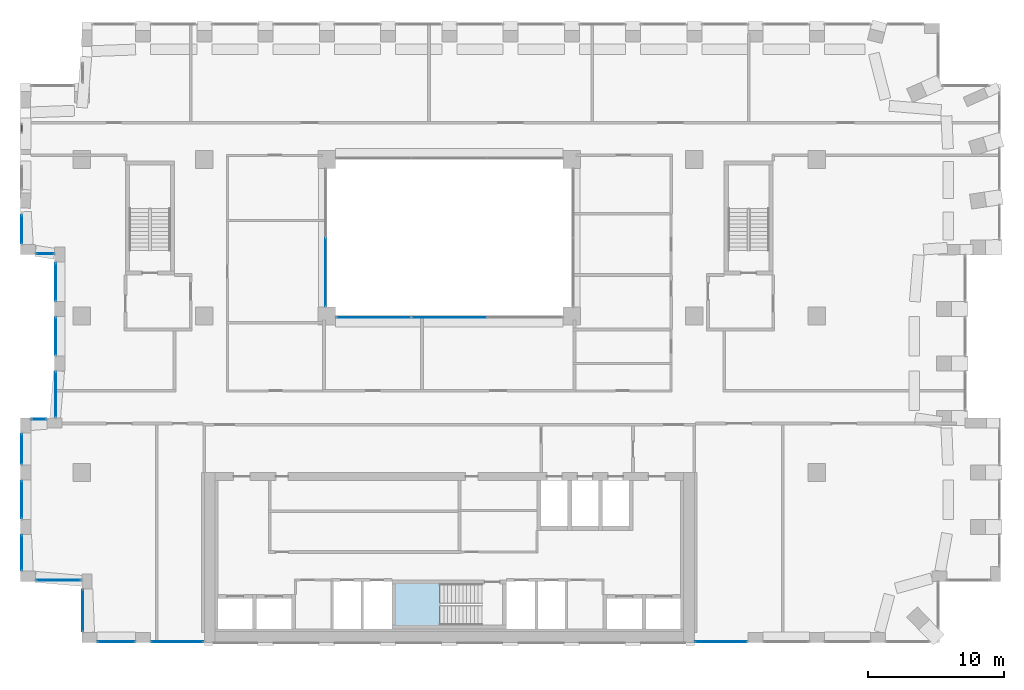
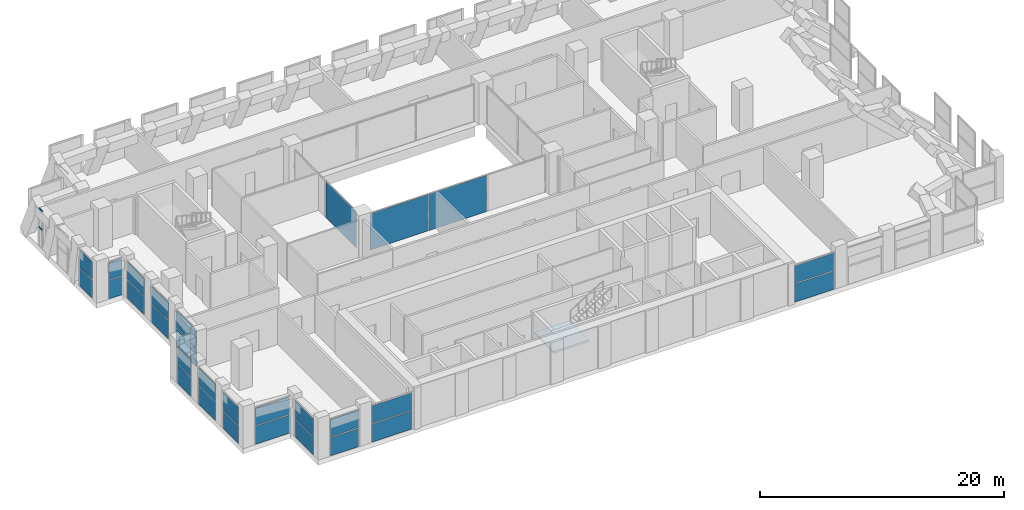
# One storey, part 12 of 20: 31 plates, 2 members, 1 slab, 18 elements without a shape of their own.
"""IFC4 building model written with IfcOpenShell, lengths in metres."""

from ifc_helpers import new_model, si_unit, direction, frame, origin, origin_2d, place, context, subcontext, project, spatial, polyline, rectangle, outline, extrude, material, layer, layer_set, material_profile, profile_set, type_object, element, aggregate, save


model = new_model("IFC4")

# Units and contexts
model_context = context("Model", 3, precision=1e-05, world=origin(), true_north=direction((0.0, 1.0)))
body_context = subcontext(model_context, "Body", "Model", "MODEL_VIEW")
ifc_project = project(units=[si_unit("LENGTHUNIT", "METRE"), si_unit("AREAUNIT", "SQUARE_METRE"), si_unit("VOLUMEUNIT", "CUBIC_METRE"), si_unit("PLANEANGLEUNIT", "RADIAN"), si_unit("MASSUNIT", "GRAM", prefix="KILO")], contexts=[model_context])

# Site, building, storey
site_placement = place(None, origin())
site = spatial("IfcSite", under=ifc_project, at=site_placement, CompositionType="ELEMENT")
building_placement = place(site_placement, origin())
building = spatial("IfcBuilding", under=site, at=building_placement, Name="Brigalow Station Residences", CompositionType="ELEMENT")
storey_placement = place(building_placement, frame((0.0, 0.0, 137.10009765625)))
storey = spatial("IfcBuildingStorey", under=building, at=storey_placement, Name="L39", CompositionType="ELEMENT", Elevation=137.10009765625)

# Curtain wall, members
ifc_material_1 = material(Name="Aluminium", Category="aluminium")
ifc_layer_1 = layer(ifc_material_1, 0.199951171875)
ifc_layer_set_1 = layer_set([ifc_layer_1], Name="REFUGE FLOOR LOUVRE CURTAIN WALL")
curtain_wall_type_1 = type_object("IfcCurtainWallType", Name="REFUGE FLOOR LOUVRE CURTAIN WALL", PredefinedType="NOTDEFINED", material=ifc_layer_set_1)
curtain_wall_1_placement = place(storey_placement, origin())
curtain_wall_1 = element("IfcCurtainWall", 1, at=curtain_wall_1_placement, inside=storey, type_object=curtain_wall_type_1, Name="L39/cw/louvre-W-L39-39-36", PredefinedType="NOTDEFINED")
ifc_material_2 = material(Name="Aluminium", Category="aluminium")
ifc_material_profile = material_profile(ifc_material_2, rectangle(XDim=0.080078125, YDim=0.14990234375, at=origin_2d()), Name="REFUGE FLOOR LOUVRE TRANSOM 80x150")
ifc_profile_set = profile_set([ifc_material_profile], Name="Aluminium")
member_type = type_object("IfcMemberType", Name="REFUGE FLOOR LOUVRE TRANSOM 80x150", PredefinedType="USERDEFINED", material=ifc_profile_set)
member_1_placement = place(storey_placement, frame((4.574951171875, 38.01318359375, 1.849853515625), z_axis=(0.0, -1.0, 0.0), x_axis=(1.0, 0.0, 0.0)))
member_1 = element("IfcMember", 2, at=member_1_placement, type_object=member_type, Name="L39/cw/louvre-W-L39-39-36/T00-00", ObjectType="TRANSOM", PredefinedType="USERDEFINED", context=body_context, shape_type="SweptSolid", body=[
    extrude(rectangle(XDim=0.080078125, YDim=0.14990234375, at=origin_2d()), origin(), (0.0, 0.0, 1.0), 0.445068359375),
])
member_2_placement = place(storey_placement, frame((4.574951171875, 38.01318359375, 3.659912109375), z_axis=(0.0, -1.0, 0.0), x_axis=(1.0, 0.0, 0.0)))
member_2 = element("IfcMember", 3, at=member_2_placement, type_object=member_type, Name="L39/cw/louvre-W-L39-39-36/T00-01", ObjectType="TRANSOM", PredefinedType="USERDEFINED", context=body_context, shape_type="SweptSolid", body=[
    extrude(rectangle(XDim=0.080078125, YDim=0.14990234375, at=origin_2d()), origin(), (0.0, 0.0, 1.0), 0.445068359375),
])
aggregate(curtain_wall_1, [member_1, member_2])

# Curtain wall, plates
ifc_material_3 = material(Name="Aluminium", Category="aluminium")
ifc_layer_2 = layer(ifc_material_3, 0.14990234375)
ifc_layer_set_2 = layer_set([ifc_layer_2], Name="ATRIUM FIRE-RATED GLAZING CURTAIN WALL")
curtain_wall_type_2 = type_object("IfcCurtainWallType", Name="ATRIUM FIRE-RATED GLAZING CURTAIN WALL", PredefinedType="NOTDEFINED", material=ifc_layer_set_2)
curtain_wall_2_placement = place(storey_placement, origin())
curtain_wall_2 = element("IfcCurtainWall", 4, at=curtain_wall_2_placement, inside=storey, type_object=curtain_wall_type_2, Name="L39/cw/atrium-S", PredefinedType="NOTDEFINED")
ifc_material_4 = material(Name="Fire-resisting laminated glazing, FRL -/60/-", Category="glass")
ifc_layer_3 = layer(ifc_material_4, 0.031982421875)
ifc_layer_set_3 = layer_set([ifc_layer_3], Name="ATRIUM FIRE-RATED GLAZING PANEL 32")
plate_type_1 = type_object("IfcPlateType", Name="ATRIUM FIRE-RATED GLAZING PANEL 32", PredefinedType="CURTAIN_PANEL", material=ifc_layer_set_3)
plate_1_placement = place(storey_placement, frame((30.4482421875, 23.89990234375, 0.0), z_axis=(0.0, 0.0, 1.0), x_axis=(1.0, 0.0, 0.0)))
plate_1 = element("IfcPlate", 5, at=plate_1_placement, type_object=plate_type_1, Name="L39/cw/atrium-S/P00-00", PredefinedType="CURTAIN_PANEL", context=body_context, shape_type="SweptSolid", body=[
    extrude(rectangle(XDim=5.476806640625, YDim=0.031982421875, at=origin_2d()), origin(), (0.0, 0.0, 1.0), 3.639892578125),
])
plate_2_placement = place(storey_placement, frame((36.0, 23.89990234375, 0.0), z_axis=(0.0, 0.0, 1.0), x_axis=(1.0, 0.0, 0.0)))
plate_2 = element("IfcPlate", 6, at=plate_2_placement, type_object=plate_type_1, Name="L39/cw/atrium-S/P01-00", PredefinedType="CURTAIN_PANEL", context=body_context, shape_type="SweptSolid", body=[
    extrude(rectangle(XDim=5.506591796875, YDim=0.031982421875, at=origin_2d()), origin(), (0.0, 0.0, 1.0), 3.639892578125),
])
aggregate(curtain_wall_2, [plate_1, plate_2])

# Curtain wall, plate
curtain_wall_3_placement = place(storey_placement, origin())
curtain_wall_3 = element("IfcCurtainWall", 7, at=curtain_wall_3_placement, inside=storey, type_object=curtain_wall_type_2, Name="L39/cw/atrium-W", PredefinedType="NOTDEFINED")
plate_3_placement = place(storey_placement, frame((26.89990234375, 27.215087890625, 0.0), z_axis=(0.0, 0.0, 1.0), x_axis=(0.0, -1.0, 0.0)))
plate_3 = element("IfcPlate", 8, at=plate_3_placement, type_object=plate_type_1, Name="L39/cw/atrium-W/P01-00", PredefinedType="CURTAIN_PANEL", context=body_context, shape_type="SweptSolid", body=[
    extrude(rectangle(XDim=5.010009765625, YDim=0.031982421875, at=origin_2d()), origin(), (0.0, 0.0, 1.0), 3.639892578125),
])
aggregate(curtain_wall_3, [plate_3])

# Curtain wall, plates
curtain_wall_4_placement = place(storey_placement, origin())
curtain_wall_4 = element("IfcCurtainWall", 9, at=curtain_wall_4_placement, inside=storey, type_object=curtain_wall_type_1, Name="L39/cw/louvre-W-L39-1-1", PredefinedType="NOTDEFINED")
ifc_material_5 = material(Name="Aluminium louvre blade", Category="aluminium")
ifc_layer_4 = layer(ifc_material_5, 0.070068359375)
ifc_layer_set_4 = layer_set([ifc_layer_4], Name="REFUGE FLOOR LOUVRE PANEL 70")
plate_type_2 = type_object("IfcPlateType", Name="REFUGE FLOOR LOUVRE PANEL 70", PredefinedType="CURTAIN_PANEL", material=ifc_layer_set_4)
plate_4_placement = place(storey_placement, frame((11.52490234375, 0.074951171875, -0.000244140625), z_axis=(0.0, 0.0, 1.0), x_axis=(1.0, 0.0, 0.0)))
plate_4 = element("IfcPlate", 10, at=plate_4_placement, type_object=plate_type_2, Name="L39/cw/louvre-W-L39-1-1/P00-00", PredefinedType="CURTAIN_PANEL", context=body_context, shape_type="SweptSolid", body=[
    extrude(rectangle(XDim=2.68994140625, YDim=0.070068359375, at=origin_2d()), origin(), (0.0, 0.0, 1.0), 1.81005859375),
])
plate_5_placement = place(storey_placement, frame((11.52490234375, 0.074951171875, 1.889892578125), z_axis=(0.0, 0.0, 1.0), x_axis=(1.0, 0.0, 0.0)))
plate_5 = element("IfcPlate", 11, at=plate_5_placement, type_object=plate_type_2, Name="L39/cw/louvre-W-L39-1-1/P00-01", PredefinedType="CURTAIN_PANEL", context=body_context, shape_type="SweptSolid", body=[
    extrude(rectangle(XDim=2.68994140625, YDim=0.070068359375, at=origin_2d()), origin(), (0.0, 0.0, 1.0), 1.72998046875),
])
aggregate(curtain_wall_4, [plate_4, plate_5])

curtain_wall_5_placement = place(storey_placement, origin())
curtain_wall_5 = element("IfcCurtainWall", 12, at=curtain_wall_5_placement, inside=storey, type_object=curtain_wall_type_1, Name="L39/cw/louvre-W-L39-1-2", PredefinedType="NOTDEFINED")
plate_6_placement = place(storey_placement, frame((16.02490234375, 0.074951171875, -0.000244140625), z_axis=(0.0, 0.0, 1.0), x_axis=(1.0, 0.0, 0.0)))
plate_6 = element("IfcPlate", 13, at=plate_6_placement, type_object=plate_type_2, Name="L39/cw/louvre-W-L39-1-2/P00-00", PredefinedType="CURTAIN_PANEL", context=body_context, shape_type="SweptSolid", body=[
    extrude(rectangle(XDim=3.7900390625, YDim=0.070068359375, at=origin_2d()), origin(), (0.0, 0.0, 1.0), 1.81005859375),
])
plate_7_placement = place(storey_placement, frame((16.02490234375, 0.074951171875, 1.889892578125), z_axis=(0.0, 0.0, 1.0), x_axis=(1.0, 0.0, 0.0)))
plate_7 = element("IfcPlate", 14, at=plate_7_placement, type_object=plate_type_2, Name="L39/cw/louvre-W-L39-1-2/P00-01", PredefinedType="CURTAIN_PANEL", context=body_context, shape_type="SweptSolid", body=[
    extrude(rectangle(XDim=3.7900390625, YDim=0.070068359375, at=origin_2d()), origin(), (0.0, 0.0, 1.0), 1.72998046875),
])
aggregate(curtain_wall_5, [plate_6, plate_7])

curtain_wall_6_placement = place(storey_placement, origin())
curtain_wall_6 = element("IfcCurtainWall", 15, at=curtain_wall_6_placement, inside=storey, type_object=curtain_wall_type_1, Name="L39/cw/louvre-W-L39-4-3", PredefinedType="NOTDEFINED")
plate_8_placement = place(storey_placement, frame((55.97509765625, 0.074951171875, -0.000244140625), z_axis=(0.0, 0.0, 1.0), x_axis=(1.0, 0.0, 0.0)))
plate_8 = element("IfcPlate", 16, at=plate_8_placement, type_object=plate_type_2, Name="L39/cw/louvre-W-L39-4-3/P00-00", PredefinedType="CURTAIN_PANEL", context=body_context, shape_type="SweptSolid", body=[
    extrude(rectangle(XDim=3.7900390625, YDim=0.070068359375, at=origin_2d()), origin(), (0.0, 0.0, 1.0), 1.81005859375),
])
plate_9_placement = place(storey_placement, frame((55.97509765625, 0.074951171875, 1.889892578125), z_axis=(0.0, 0.0, 1.0), x_axis=(1.0, 0.0, 0.0)))
plate_9 = element("IfcPlate", 17, at=plate_9_placement, type_object=plate_type_2, Name="L39/cw/louvre-W-L39-4-3/P00-01", PredefinedType="CURTAIN_PANEL", context=body_context, shape_type="SweptSolid", body=[
    extrude(rectangle(XDim=3.7900390625, YDim=0.070068359375, at=origin_2d()), origin(), (0.0, 0.0, 1.0), 1.72998046875),
])
aggregate(curtain_wall_6, [plate_8, plate_9])

curtain_wall_7_placement = place(storey_placement, origin())
curtain_wall_7 = element("IfcCurtainWall", 18, at=curtain_wall_7_placement, inside=storey, type_object=curtain_wall_type_1, Name="L39/cw/louvre-W-L39-39-38", PredefinedType="NOTDEFINED")
plate_10_placement = place(storey_placement, frame((4.574951171875, 30.35546875, -0.000244140625), z_axis=(0.0, 0.0, 1.0), x_axis=(0.0, -1.0, 0.0)))
plate_10 = element("IfcPlate", 19, at=plate_10_placement, type_object=plate_type_2, Name="L39/cw/louvre-W-L39-39-38/P00-00", PredefinedType="CURTAIN_PANEL", context=body_context, shape_type="SweptSolid", body=[
    extrude(rectangle(XDim=2.05078125, YDim=0.070068359375, at=origin_2d()), origin(), (0.0, 0.0, 1.0), 1.81005859375),
])
plate_11_placement = place(storey_placement, frame((4.574951171875, 30.35546875, 1.889892578125), z_axis=(0.0, 0.0, 1.0), x_axis=(0.0, -1.0, 0.0)))
plate_11 = element("IfcPlate", 20, at=plate_11_placement, type_object=plate_type_2, Name="L39/cw/louvre-W-L39-39-38/P00-01", PredefinedType="CURTAIN_PANEL", context=body_context, shape_type="SweptSolid", body=[
    extrude(rectangle(XDim=2.05078125, YDim=0.070068359375, at=origin_2d()), origin(), (0.0, 0.0, 1.0), 1.72998046875),
])
aggregate(curtain_wall_7, [plate_10, plate_11])

curtain_wall_8_placement = place(storey_placement, origin())
curtain_wall_8 = element("IfcCurtainWall", 21, at=curtain_wall_8_placement, inside=storey, type_object=curtain_wall_type_1, Name="L39/cw/louvre-W-L39-42-39", PredefinedType="NOTDEFINED")
plate_12_placement = place(storey_placement, frame((6.300048828125, 28.574951171875, -0.000244140625), z_axis=(0.0, 0.0, 1.0), x_axis=(1.0, 0.0, 0.0)))
plate_12 = element("IfcPlate", 22, at=plate_12_placement, type_object=plate_type_2, Name="L39/cw/louvre-W-L39-42-39/P00-00", PredefinedType="CURTAIN_PANEL", context=body_context, shape_type="SweptSolid", body=[
    extrude(rectangle(XDim=1.239990234375, YDim=0.070068359375, at=origin_2d()), origin(), (0.0, 0.0, 1.0), 1.81005859375),
])
plate_13_placement = place(storey_placement, frame((6.300048828125, 28.574951171875, 1.889892578125), z_axis=(0.0, 0.0, 1.0), x_axis=(1.0, 0.0, 0.0)))
plate_13 = element("IfcPlate", 23, at=plate_13_placement, type_object=plate_type_2, Name="L39/cw/louvre-W-L39-42-39/P00-01", PredefinedType="CURTAIN_PANEL", context=body_context, shape_type="SweptSolid", body=[
    extrude(rectangle(XDim=1.239990234375, YDim=0.070068359375, at=origin_2d()), origin(), (0.0, 0.0, 1.0), 1.72998046875),
])
aggregate(curtain_wall_8, [plate_12, plate_13])

curtain_wall_9_placement = place(storey_placement, origin())
curtain_wall_9 = element("IfcCurtainWall", 24, at=curtain_wall_9_placement, inside=storey, type_object=curtain_wall_type_1, Name="L39/cw/louvre-W-L39-43-40", PredefinedType="NOTDEFINED")
plate_14_placement = place(storey_placement, frame((7.074951171875, 26.5, -0.000244140625), z_axis=(0.0, 0.0, 1.0), x_axis=(0.0, -1.0, 0.0)))
plate_14 = element("IfcPlate", 25, at=plate_14_placement, type_object=plate_type_2, Name="L39/cw/louvre-W-L39-43-40/P00-00", PredefinedType="CURTAIN_PANEL", context=body_context, shape_type="SweptSolid", body=[
    extrude(rectangle(XDim=2.739990234375, YDim=0.070068359375, at=origin_2d()), origin(), (0.0, 0.0, 1.0), 1.81005859375),
])
plate_15_placement = place(storey_placement, frame((7.074951171875, 26.5, 1.889892578125), z_axis=(0.0, 0.0, 1.0), x_axis=(0.0, -1.0, 0.0)))
plate_15 = element("IfcPlate", 26, at=plate_15_placement, type_object=plate_type_2, Name="L39/cw/louvre-W-L39-43-40/P00-01", PredefinedType="CURTAIN_PANEL", context=body_context, shape_type="SweptSolid", body=[
    extrude(rectangle(XDim=2.739990234375, YDim=0.070068359375, at=origin_2d()), origin(), (0.0, 0.0, 1.0), 1.72998046875),
])
aggregate(curtain_wall_9, [plate_14, plate_15])

curtain_wall_10_placement = place(storey_placement, origin())
curtain_wall_10 = element("IfcCurtainWall", 27, at=curtain_wall_10_placement, inside=storey, type_object=curtain_wall_type_1, Name="L39/cw/louvre-W-L39-43-41", PredefinedType="NOTDEFINED")
plate_16_placement = place(storey_placement, frame((7.074951171875, 22.5, -0.000244140625), z_axis=(0.0, 0.0, 1.0), x_axis=(0.0, -1.0, 0.0)))
plate_16 = element("IfcPlate", 28, at=plate_16_placement, type_object=plate_type_2, Name="L39/cw/louvre-W-L39-43-41/P00-00", PredefinedType="CURTAIN_PANEL", context=body_context, shape_type="SweptSolid", body=[
    extrude(rectangle(XDim=2.739990234375, YDim=0.070068359375, at=origin_2d()), origin(), (0.0, 0.0, 1.0), 1.81005859375),
])
plate_17_placement = place(storey_placement, frame((7.074951171875, 22.5, 1.889892578125), z_axis=(0.0, 0.0, 1.0), x_axis=(0.0, -1.0, 0.0)))
plate_17 = element("IfcPlate", 29, at=plate_17_placement, type_object=plate_type_2, Name="L39/cw/louvre-W-L39-43-41/P00-01", PredefinedType="CURTAIN_PANEL", context=body_context, shape_type="SweptSolid", body=[
    extrude(rectangle(XDim=2.739990234375, YDim=0.070068359375, at=origin_2d()), origin(), (0.0, 0.0, 1.0), 1.72998046875),
])
aggregate(curtain_wall_10, [plate_16, plate_17])

curtain_wall_11_placement = place(storey_placement, origin())
curtain_wall_11 = element("IfcCurtainWall", 30, at=curtain_wall_11_placement, inside=storey, type_object=curtain_wall_type_1, Name="L39/cw/louvre-W-L39-43-42", PredefinedType="NOTDEFINED")
plate_18_placement = place(storey_placement, frame((7.074951171875, 18.22509765625, -0.000244140625), z_axis=(0.0, 0.0, 1.0), x_axis=(0.0, -1.0, 0.0)))
plate_18 = element("IfcPlate", 31, at=plate_18_placement, type_object=plate_type_2, Name="L39/cw/louvre-W-L39-43-42/P00-00", PredefinedType="CURTAIN_PANEL", context=body_context, shape_type="SweptSolid", body=[
    extrude(rectangle(XDim=3.2900390625, YDim=0.070068359375, at=origin_2d()), origin(), (0.0, 0.0, 1.0), 1.81005859375),
])
plate_19_placement = place(storey_placement, frame((7.074951171875, 18.22509765625, 1.889892578125), z_axis=(0.0, 0.0, 1.0), x_axis=(0.0, -1.0, 0.0)))
plate_19 = element("IfcPlate", 32, at=plate_19_placement, type_object=plate_type_2, Name="L39/cw/louvre-W-L39-43-42/P00-01", PredefinedType="CURTAIN_PANEL", context=body_context, shape_type="SweptSolid", body=[
    extrude(rectangle(XDim=3.2900390625, YDim=0.070068359375, at=origin_2d()), origin(), (0.0, 0.0, 1.0), 1.72998046875),
])
aggregate(curtain_wall_11, [plate_18, plate_19])

curtain_wall_12_placement = place(storey_placement, origin())
curtain_wall_12 = element("IfcCurtainWall", 33, at=curtain_wall_12_placement, inside=storey, type_object=curtain_wall_type_1, Name="L39/cw/louvre-W-L39-46-43", PredefinedType="NOTDEFINED")
plate_20_placement = place(storey_placement, frame((5.85009765625, 16.425048828125, -0.000244140625), z_axis=(0.0, 0.0, 1.0), x_axis=(-1.0, 0.0, 0.0)))
plate_20 = element("IfcPlate", 34, at=plate_20_placement, type_object=plate_type_2, Name="L39/cw/louvre-W-L39-46-43/P00-00", PredefinedType="CURTAIN_PANEL", context=body_context, shape_type="SweptSolid", body=[
    extrude(rectangle(XDim=1.0400390625, YDim=0.070068359375, at=origin_2d()), origin(), (0.0, 0.0, 1.0), 1.81005859375),
])
plate_21_placement = place(storey_placement, frame((5.85009765625, 16.425048828125, 1.889892578125), z_axis=(0.0, 0.0, 1.0), x_axis=(-1.0, 0.0, 0.0)))
plate_21 = element("IfcPlate", 35, at=plate_21_placement, type_object=plate_type_2, Name="L39/cw/louvre-W-L39-46-43/P00-01", PredefinedType="CURTAIN_PANEL", context=body_context, shape_type="SweptSolid", body=[
    extrude(rectangle(XDim=1.0400390625, YDim=0.070068359375, at=origin_2d()), origin(), (0.0, 0.0, 1.0), 1.72998046875),
])
aggregate(curtain_wall_12, [plate_20, plate_21])

curtain_wall_13_placement = place(storey_placement, origin())
curtain_wall_13 = element("IfcCurtainWall", 36, at=curtain_wall_13_placement, inside=storey, type_object=curtain_wall_type_1, Name="L39/cw/louvre-W-L39-47-44", PredefinedType="NOTDEFINED")
plate_22_placement = place(storey_placement, frame((4.574951171875, 14.22509765625, -0.000244140625), z_axis=(0.0, 0.0, 1.0), x_axis=(0.0, -1.0, 0.0)))
plate_22 = element("IfcPlate", 37, at=plate_22_placement, type_object=plate_type_2, Name="L39/cw/louvre-W-L39-47-44/P00-00", PredefinedType="CURTAIN_PANEL", context=body_context, shape_type="SweptSolid", body=[
    extrude(rectangle(XDim=2.18994140625, YDim=0.070068359375, at=origin_2d()), origin(), (0.0, 0.0, 1.0), 1.81005859375),
])
plate_23_placement = place(storey_placement, frame((4.574951171875, 14.22509765625, 1.889892578125), z_axis=(0.0, 0.0, 1.0), x_axis=(0.0, -1.0, 0.0)))
plate_23 = element("IfcPlate", 38, at=plate_23_placement, type_object=plate_type_2, Name="L39/cw/louvre-W-L39-47-44/P00-01", PredefinedType="CURTAIN_PANEL", context=body_context, shape_type="SweptSolid", body=[
    extrude(rectangle(XDim=2.18994140625, YDim=0.070068359375, at=origin_2d()), origin(), (0.0, 0.0, 1.0), 1.72998046875),
])
aggregate(curtain_wall_13, [plate_22, plate_23])

curtain_wall_14_placement = place(storey_placement, origin())
curtain_wall_14 = element("IfcCurtainWall", 39, at=curtain_wall_14_placement, inside=storey, type_object=curtain_wall_type_1, Name="L39/cw/louvre-W-L39-47-45", PredefinedType="NOTDEFINED")
plate_24_placement = place(storey_placement, frame((4.574951171875, 10.5, -0.000244140625), z_axis=(0.0, 0.0, 1.0), x_axis=(0.0, -1.0, 0.0)))
plate_24 = element("IfcPlate", 40, at=plate_24_placement, type_object=plate_type_2, Name="L39/cw/louvre-W-L39-47-45/P00-00", PredefinedType="CURTAIN_PANEL", context=body_context, shape_type="SweptSolid", body=[
    extrude(rectangle(XDim=2.739990234375, YDim=0.070068359375, at=origin_2d()), origin(), (0.0, 0.0, 1.0), 1.81005859375),
])
plate_25_placement = place(storey_placement, frame((4.574951171875, 10.5, 1.889892578125), z_axis=(0.0, 0.0, 1.0), x_axis=(0.0, -1.0, 0.0)))
plate_25 = element("IfcPlate", 41, at=plate_25_placement, type_object=plate_type_2, Name="L39/cw/louvre-W-L39-47-45/P00-01", PredefinedType="CURTAIN_PANEL", context=body_context, shape_type="SweptSolid", body=[
    extrude(rectangle(XDim=2.739990234375, YDim=0.070068359375, at=origin_2d()), origin(), (0.0, 0.0, 1.0), 1.72998046875),
])
aggregate(curtain_wall_14, [plate_24, plate_25])

curtain_wall_15_placement = place(storey_placement, origin())
curtain_wall_15 = element("IfcCurtainWall", 42, at=curtain_wall_15_placement, inside=storey, type_object=curtain_wall_type_1, Name="L39/cw/louvre-W-L39-47-46", PredefinedType="NOTDEFINED")
plate_26_placement = place(storey_placement, frame((4.574951171875, 6.60009765625, -0.000244140625), z_axis=(0.0, 0.0, 1.0), x_axis=(0.0, -1.0, 0.0)))
plate_26 = element("IfcPlate", 43, at=plate_26_placement, type_object=plate_type_2, Name="L39/cw/louvre-W-L39-47-46/P00-00", PredefinedType="CURTAIN_PANEL", context=body_context, shape_type="SweptSolid", body=[
    extrude(rectangle(XDim=2.5400390625, YDim=0.070068359375, at=origin_2d()), origin(), (0.0, 0.0, 1.0), 1.81005859375),
])
plate_27_placement = place(storey_placement, frame((4.574951171875, 6.60009765625, 1.889892578125), z_axis=(0.0, 0.0, 1.0), x_axis=(0.0, -1.0, 0.0)))
plate_27 = element("IfcPlate", 44, at=plate_27_placement, type_object=plate_type_2, Name="L39/cw/louvre-W-L39-47-46/P00-01", PredefinedType="CURTAIN_PANEL", context=body_context, shape_type="SweptSolid", body=[
    extrude(rectangle(XDim=2.5400390625, YDim=0.070068359375, at=origin_2d()), origin(), (0.0, 0.0, 1.0), 1.72998046875),
])
aggregate(curtain_wall_15, [plate_26, plate_27])

curtain_wall_16_placement = place(storey_placement, origin())
curtain_wall_16 = element("IfcCurtainWall", 45, at=curtain_wall_16_placement, inside=storey, type_object=curtain_wall_type_1, Name="L39/cw/louvre-W-L39-50-47", PredefinedType="NOTDEFINED")
plate_28_placement = place(storey_placement, frame((7.300048828125, 4.574951171875, -0.000244140625), z_axis=(0.0, 0.0, 1.0), x_axis=(1.0, 0.0, 0.0)))
plate_28 = element("IfcPlate", 46, at=plate_28_placement, type_object=plate_type_2, Name="L39/cw/louvre-W-L39-50-47/P00-00", PredefinedType="CURTAIN_PANEL", context=body_context, shape_type="SweptSolid", body=[
    extrude(rectangle(XDim=3.239990234375, YDim=0.070068359375, at=origin_2d()), origin(), (0.0, 0.0, 1.0), 1.81005859375),
])
plate_29_placement = place(storey_placement, frame((7.300048828125, 4.574951171875, 1.889892578125), z_axis=(0.0, 0.0, 1.0), x_axis=(1.0, 0.0, 0.0)))
plate_29 = element("IfcPlate", 47, at=plate_29_placement, type_object=plate_type_2, Name="L39/cw/louvre-W-L39-50-47/P00-01", PredefinedType="CURTAIN_PANEL", context=body_context, shape_type="SweptSolid", body=[
    extrude(rectangle(XDim=3.239990234375, YDim=0.070068359375, at=origin_2d()), origin(), (0.0, 0.0, 1.0), 1.72998046875),
])
aggregate(curtain_wall_16, [plate_28, plate_29])

curtain_wall_17_placement = place(storey_placement, origin())
curtain_wall_17 = element("IfcCurtainWall", 48, at=curtain_wall_17_placement, inside=storey, type_object=curtain_wall_type_1, Name="L39/cw/louvre-W-L39-51-48", PredefinedType="NOTDEFINED")
plate_30_placement = place(storey_placement, frame((9.074951171875, 2.35009765625, -0.000244140625), z_axis=(0.0, 0.0, 1.0), x_axis=(0.0, -1.0, 0.0)))
plate_30 = element("IfcPlate", 49, at=plate_30_placement, type_object=plate_type_2, Name="L39/cw/louvre-W-L39-51-48/P00-00", PredefinedType="CURTAIN_PANEL", context=body_context, shape_type="SweptSolid", body=[
    extrude(rectangle(XDim=3.0400390625, YDim=0.070068359375, at=origin_2d()), origin(), (0.0, 0.0, 1.0), 1.81005859375),
])
plate_31_placement = place(storey_placement, frame((9.074951171875, 2.35009765625, 1.889892578125), z_axis=(0.0, 0.0, 1.0), x_axis=(0.0, -1.0, 0.0)))
plate_31 = element("IfcPlate", 50, at=plate_31_placement, type_object=plate_type_2, Name="L39/cw/louvre-W-L39-51-48/P00-01", PredefinedType="CURTAIN_PANEL", context=body_context, shape_type="SweptSolid", body=[
    extrude(rectangle(XDim=3.0400390625, YDim=0.070068359375, at=origin_2d()), origin(), (0.0, 0.0, 1.0), 1.72998046875),
])
aggregate(curtain_wall_17, [plate_30, plate_31])

# Stair, slab
ifc_material_6 = material(Name="Concrete C50", Category="concrete")
stair_type = type_object("IfcStairType", Name="EXIT STAIR 1400 2 FLIGHT", PredefinedType="HALF_TURN_STAIR", material=ifc_material_6)
stair_placement = place(storey_placement, origin())
stair = element("IfcStair", 51, at=stair_placement, inside=storey, type_object=stair_type, Name="EXIT STAIR S2 L39", PredefinedType="HALF_TURN_STAIR")
ifc_material_7 = material(Name="Concrete C50", Category="concrete")
ifc_layer_5 = layer(ifc_material_7, 0.199951171875)
ifc_layer_set_5 = layer_set([ifc_layer_5], Name="STAIR LANDING 200")
slab_type = type_object("IfcSlabType", Name="STAIR LANDING 200", PredefinedType="LANDING", material=ifc_layer_set_5)
slab_placement = place(storey_placement, frame((0.0, 0.0, 1.89990234375)))
slab = element("IfcSlab", 52, at=slab_placement, type_object=slab_type, Name="ST-2 landing 1", PredefinedType="LANDING", context=body_context, shape_type="SweptSolid", body=[
    extrude(outline(polyline([(32.0, 1.199951171875), (35.320068359375, 1.199951171875), (35.320068359375, 4.39990234375), (32.0, 4.39990234375), (32.0, 1.199951171875)])), origin(), (0.0, 0.0, 1.0), 0.199951171875),
])
aggregate(stair, [slab])

save(model, "model.ifc")
